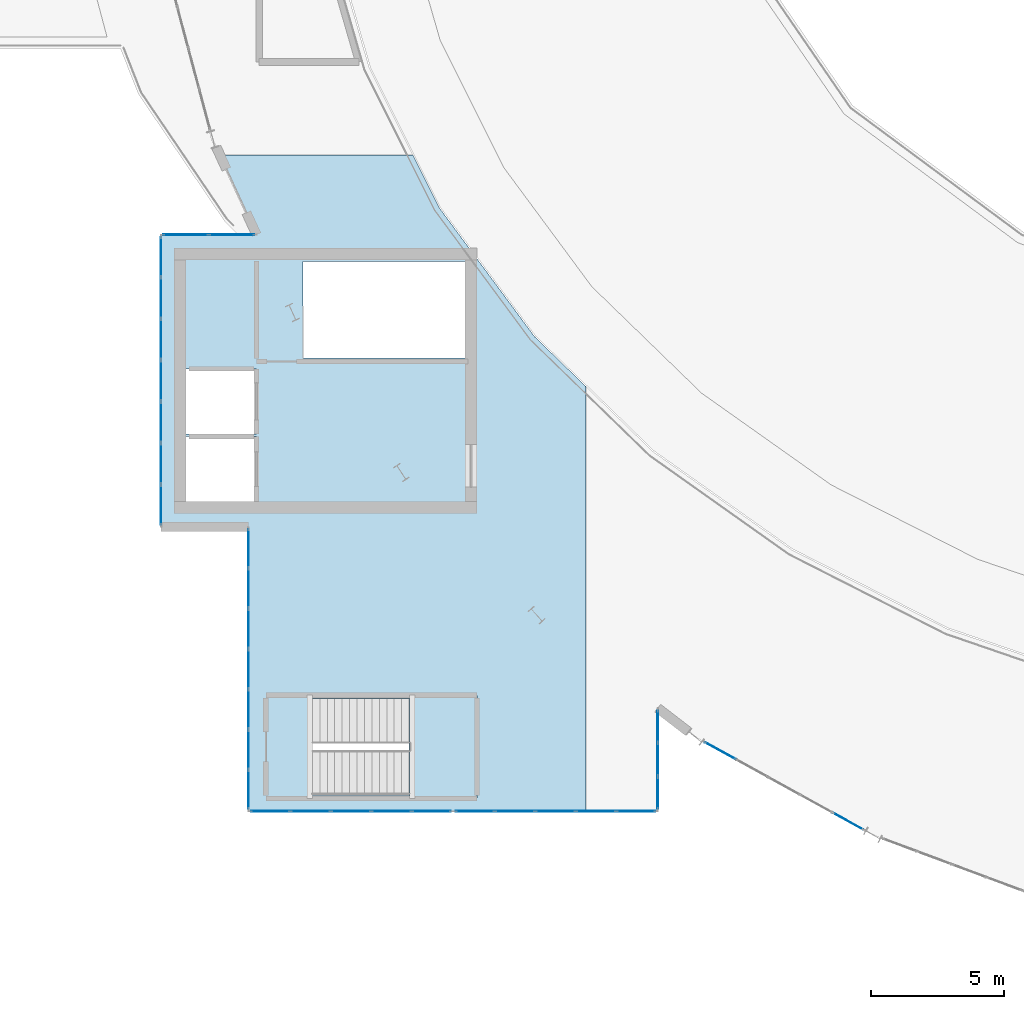
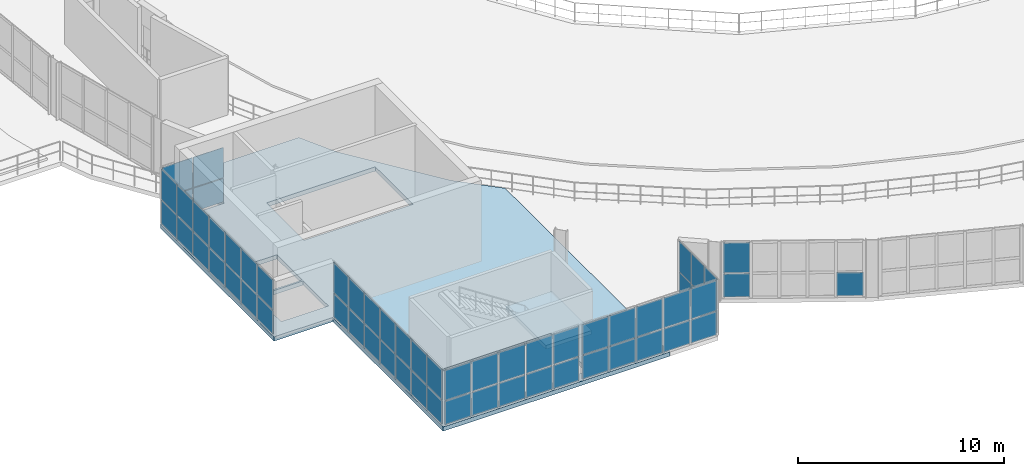
# One storey, part 23 of 40: 61 plates, 2 slabs, 8 elements without a shape of their own.
"""IFC4 building model written with IfcOpenShell, lengths in metres."""

import ifcopenshell
import ifcopenshell.guid

model = None  # the IFC model being written
_history = None  # IfcOwnerHistory: only IFC2X3 demands one
_inside = {}  # id of a spatial element -> (the spatial element, [elements in it])
_under = {}  # id of a project, library or spatial element -> (it, [spatial elements below it])
_declared = {}  # id of a project -> (the project, [libraries it declares])
_typed = {}  # id of a type object -> (the type object, [elements of that type])
_made_of = {}  # id of a material, layer set ... -> (it, [elements and type objects made of it])


def new_model(schema):
    """Start an empty IFC model of exactly this schema.

    Asked for "IFC4X3", IfcOpenShell would pick the latest addendum, in which some entities
    have other attributes; the version numbers below select the first issue.
    IFC2X3 requires an IfcOwnerHistory on every rooted entity: one is made here for all.
    """
    global model, _history
    if schema == "IFC4X3":
        model = ifcopenshell.file(schema_version=(4, 3, 0, 0))
    else:
        model = ifcopenshell.file(schema=schema)
    _inside.clear()
    _under.clear()
    _declared.clear()
    _typed.clear()
    _made_of.clear()
    _history = None
    if model.schema == "IFC2X3":
        org = make("IfcOrganization", Name="unknown")
        user = make(
            "IfcPersonAndOrganization",
            ThePerson=make("IfcPerson", FamilyName="unknown"),
            TheOrganization=org,
        )
        app = make(
            "IfcApplication",
            ApplicationDeveloper=org,
            Version="unknown",
            ApplicationFullName="unknown",
            ApplicationIdentifier="unknown",
        )
        _history = make(
            "IfcOwnerHistory",
            OwningUser=user,
            OwningApplication=app,
            ChangeAction="ADDED",
            CreationDate=0,
        )
    return model


def make(cls, **values):
    """One entity of the class cls with the attributes given. An attribute that is None is left unset."""
    return model.create_entity(
        cls, **{name: value for name, value in values.items() if value is not None}
    )


def rooted(cls, **values):
    """An entity with a GlobalId (a new one), such as an element, a storey or a relation."""
    return make(cls, GlobalId=ifcopenshell.guid.new(), OwnerHistory=_history, **values)


def si_unit(unit_type, name, prefix=None):
    """IfcSIUnit, for example si_unit("LENGTHUNIT", "METRE", prefix="MILLI")."""
    return make("IfcSIUnit", UnitType=unit_type, Prefix=prefix, Name=name)


def assignment(units):
    """IfcUnitAssignment: the units of a project."""
    return None if units is None else make("IfcUnitAssignment", Units=units)


def point(xyz):
    """IfcCartesianPoint."""
    return None if xyz is None else make("IfcCartesianPoint", Coordinates=xyz)


def direction(xyz):
    """IfcDirection."""
    return None if xyz is None else make("IfcDirection", DirectionRatios=xyz)


def frame(location, z_axis=None, x_axis=None):
    """IfcAxis2Placement3D, a coordinate frame: its origin and axes. An axis left out is left unset."""
    return make(
        "IfcAxis2Placement3D",
        Location=point(location),
        Axis=direction(z_axis),
        RefDirection=direction(x_axis),
    )


def frame_2d(location, x_axis=None):
    """IfcAxis2Placement2D, a coordinate frame in the plane: its origin and x axis."""
    return make(
        "IfcAxis2Placement2D", Location=point(location), RefDirection=direction(x_axis)
    )


def origin():
    """The frame at (0, 0, 0) with its axes left unset."""
    return frame((0.0, 0.0, 0.0))


def origin_2d():
    """The frame at (0, 0) in the plane with its x axis left unset."""
    return frame_2d((0.0, 0.0))


def place(relative_to, where):
    """IfcLocalPlacement: puts the frame where relative to a parent placement (None: the world)."""
    return make(
        "IfcLocalPlacement", PlacementRelTo=relative_to, RelativePlacement=where
    )


def context(
    kind, dimensions, precision=None, world=None, true_north=None, identifier=None
):
    """IfcGeometricRepresentationContext, for example the 3D "Model" context."""
    return make(
        "IfcGeometricRepresentationContext",
        ContextIdentifier=identifier,
        ContextType=kind,
        CoordinateSpaceDimension=dimensions,
        Precision=precision,
        WorldCoordinateSystem=world,
        TrueNorth=true_north,
    )


def subcontext(parent, identifier, kind, view, scale=None):
    """IfcGeometricRepresentationSubContext, for example "Body" below "Model"."""
    return make(
        "IfcGeometricRepresentationSubContext",
        ContextIdentifier=identifier,
        ContextType=kind,
        ParentContext=parent,
        TargetScale=scale,
        TargetView=view,
    )


def project(units=None, contexts=None):
    """IfcProject with its units and contexts."""
    return rooted(
        "IfcProject",
        Name="project",
        RepresentationContexts=contexts,
        UnitsInContext=assignment(units),
    )


def spatial(cls, under=None, at=None, **own):
    """A site, building, storey or space (cls), placed at a placement, below another one or the project."""
    s = rooted(cls, ObjectPlacement=at, **own)
    if under is not None:
        _under.setdefault(under.id(), (under, []))[1].append(s)
    return s


def polyline(points):
    """IfcPolyline through the points."""
    return make("IfcPolyline", Points=[point(p) for p in points])


def profile(cls, at=None, kind="AREA", **sizes):
    """A parametric profile (cls). Its sizes go by their IFC names, for example OverallWidth=200.0."""
    return make(cls, ProfileType=kind, Position=at, **sizes)


def rectangle(**sizes):
    """IfcRectangleProfileDef."""
    return profile("IfcRectangleProfileDef", **sizes)


def outline(outer, holes=None, kind="AREA"):
    """IfcArbitraryClosedProfileDef: a profile drawn as a closed curve; with holes, ...WithVoids."""
    if holes is None:
        return make("IfcArbitraryClosedProfileDef", ProfileType=kind, OuterCurve=outer)
    return make(
        "IfcArbitraryProfileDefWithVoids",
        ProfileType=kind,
        OuterCurve=outer,
        InnerCurves=holes,
    )


def extrude(swept, where, along, depth):
    """IfcExtrudedAreaSolid: the profile swept, set in the frame where, extruded along a direction by depth."""
    return make(
        "IfcExtrudedAreaSolid",
        SweptArea=swept,
        Position=where,
        ExtrudedDirection=direction(along),
        Depth=depth,
    )


def shape(context_of_items, identifier, shape_type, items):
    """IfcShapeRepresentation: the items that make up one representation, for example the "Body"."""
    return make(
        "IfcShapeRepresentation",
        ContextOfItems=context_of_items,
        RepresentationIdentifier=identifier,
        RepresentationType=shape_type,
        Items=items,
    )


def material(Name=None, Category=None):
    """IfcMaterial."""
    return make("IfcMaterial", Name=Name, Category=Category)


def layer(
    of_material, thickness, ventilated=None, Name=None, Category=None, Priority=None
):
    """IfcMaterialLayer: one layer of a wall or slab, of a material (None: an air gap)."""
    return make(
        "IfcMaterialLayer",
        Material=of_material,
        LayerThickness=thickness,
        IsVentilated=ventilated,
        Name=Name,
        Category=Category,
        Priority=Priority,
    )


def layer_set(layers, Name=None):
    """IfcMaterialLayerSet."""
    return make("IfcMaterialLayerSet", MaterialLayers=layers, LayerSetName=Name)


def made_of(thing, what):
    """Note that an element or type object is made of a material, layer set ...; save() writes the relation."""
    if what is not None:
        _made_of.setdefault(what.id(), (what, []))[1].append(thing)
    return thing


def type_object(cls, material=None, **own):
    """A type object (cls), such as IfcWallType, which elements share."""
    return made_of(rooted(cls, **own), material)


def element(
    cls,
    number,
    at=None,
    inside=None,
    cuts=None,
    type_object=None,
    material=None,
    context=None,
    identifier="Body",
    shape_type=None,
    held_by="IfcProductDefinitionShape",
    body=None,
    shapes=None,
    **own,
):
    """One element of the class cls, such as IfcWall. Its Tag is "e" and its number.

    at: its placement. inside: the storey or other place that contains it. cuts: it is an
    opening in that element (IfcRelVoidsElement). A single representation is given by context,
    identifier, shape_type and body (its items); several are given by shapes. held_by: the class
    of the entity that holds the representations. save() writes the other relations.
    """
    e = rooted(cls, Tag="e%d" % number, ObjectPlacement=at, **own)
    if body is not None:
        shapes = [shape(context, identifier, shape_type, body)]
    if shapes is not None:
        e.Representation = make(held_by, Representations=shapes)
    if inside is not None:
        _inside.setdefault(inside.id(), (inside, []))[1].append(e)
    if cuts is not None:
        rooted(
            "IfcRelVoidsElement", RelatingBuildingElement=cuts, RelatedOpeningElement=e
        )
    if type_object is not None:
        _typed.setdefault(type_object.id(), (type_object, []))[1].append(e)
    return made_of(e, material)


def aggregate(whole, parts):
    """IfcRelAggregates: a whole, such as a stair, and the parts it consists of."""
    return rooted("IfcRelAggregates", RelatingObject=whole, RelatedObjects=parts)


def save(model, path):
    """Write the relations noted so far, then the file.

    IfcRelAggregates (storeys below a building ...), IfcRelContainedInSpatialStructure (elements
    in a storey), IfcRelDefinesByType, IfcRelAssociatesMaterial and IfcRelDeclares: one each for
    every whole, place, type object, material and project.
    """
    for whole, parts in _under.values():
        aggregate(whole, parts)
    for where, things in _inside.values():
        rooted(
            "IfcRelContainedInSpatialStructure",
            RelatedElements=things,
            RelatingStructure=where,
        )
    for kind, things in _typed.values():
        rooted("IfcRelDefinesByType", RelatedObjects=things, RelatingType=kind)
    for what, things in _made_of.values():
        rooted("IfcRelAssociatesMaterial", RelatedObjects=things, RelatingMaterial=what)
    for by, libraries in _declared.values():
        rooted("IfcRelDeclares", RelatingContext=by, RelatedDefinitions=libraries)
    model.write(path)


model = new_model("IFC4")

# Units and contexts
model_context = context("Model", 3, precision=1e-05, world=origin(), true_north=direction((0.0, 1.0)))
body_context = subcontext(model_context, "Body", "Model", "MODEL_VIEW")
ifc_project = project(units=[si_unit("LENGTHUNIT", "METRE"), si_unit("AREAUNIT", "SQUARE_METRE"), si_unit("VOLUMEUNIT", "CUBIC_METRE"), si_unit("PLANEANGLEUNIT", "RADIAN"), si_unit("MASSUNIT", "GRAM", prefix="KILO")], contexts=[model_context])

# Site, building, storey
site_placement = place(None, origin())
site = spatial("IfcSite", under=ifc_project, at=site_placement, CompositionType="ELEMENT")
building_placement = place(site_placement, origin())
building = spatial("IfcBuilding", under=site, at=building_placement, Name="Glasvene Arena", CompositionType="ELEMENT")
storey_placement = place(building_placement, frame((0.0, 0.0, 24.0)))
storey = spatial("IfcBuildingStorey", under=building, at=storey_placement, Name="L05", CompositionType="ELEMENT", Elevation=24.0)

# Curtain wall, plates
ifc_material_1 = material(Name="Low-emissivity laminated double glazing", Category="glass")
curtain_wall_type_1 = type_object("IfcCurtainWallType", Name="CW-FAC-L05-1062x332", PredefinedType="USERDEFINED", material=ifc_material_1)
curtain_wall_1_placement = place(storey_placement, frame((45.800048828125, 33.840087890625, 0.0)))
curtain_wall_1 = element("IfcCurtainWall", 1, at=curtain_wall_1_placement, inside=storey, type_object=curtain_wall_type_1, Name="Unitised curtain wall CW-F-L05-150-458-392-0", ObjectType="CURTAIN WALL", PredefinedType="USERDEFINED")
ifc_layer_1 = layer(ifc_material_1, 0.028076171875)
ifc_layer_set_1 = layer_set([ifc_layer_1], Name="Low-emissivity laminated double glazing")
plate_type = type_object("IfcPlateType", Name="CW-GLZ-28", PredefinedType="CURTAIN_PANEL", material=ifc_layer_set_1)
plate_1_placement = place(storey_placement, frame((45.800048828125, 34.611083984375, 0.10986328125), z_axis=(0.0, 0.0, 1.0), x_axis=(0.0, 1.0, 0.0)))
plate_1 = element("IfcPlate", 2, at=plate_1_placement, type_object=plate_type, Name="CW-054 panel 1.1", PredefinedType="CURTAIN_PANEL", context=body_context, shape_type="SweptSolid", body=[
    extrude(rectangle(XDim=1.442138671875, YDim=0.028076171875, at=origin_2d()), origin(), (0.0, 0.0, 1.0), 1.385986328125),
])
plate_2_placement = place(storey_placement, frame((45.800048828125, 34.611083984375, 1.5458984375), z_axis=(0.0, 0.0, 1.0), x_axis=(0.0, 1.0, 0.0)))
plate_2 = element("IfcPlate", 3, at=plate_2_placement, type_object=plate_type, Name="CW-054 panel 1.2", PredefinedType="CURTAIN_PANEL", context=body_context, shape_type="SweptSolid", body=[
    extrude(rectangle(XDim=1.442138671875, YDim=0.028076171875, at=origin_2d()), origin(), (0.0, 0.0, 1.0), 1.783935546875),
])
plate_3_placement = place(storey_placement, frame((45.800048828125, 36.11572265625, 0.10986328125), z_axis=(0.0, 0.0, 1.0), x_axis=(0.0, 1.0, 0.0)))
plate_3 = element("IfcPlate", 4, at=plate_3_placement, type_object=plate_type, Name="CW-054 panel 2.1", PredefinedType="CURTAIN_PANEL", context=body_context, shape_type="SweptSolid", body=[
    extrude(rectangle(XDim=1.467041015625, YDim=0.028076171875, at=origin_2d()), origin(), (0.0, 0.0, 1.0), 1.385986328125),
])
plate_4_placement = place(storey_placement, frame((45.800048828125, 36.11572265625, 1.5458984375), z_axis=(0.0, 0.0, 1.0), x_axis=(0.0, 1.0, 0.0)))
plate_4 = element("IfcPlate", 5, at=plate_4_placement, type_object=plate_type, Name="CW-054 panel 2.2", PredefinedType="CURTAIN_PANEL", context=body_context, shape_type="SweptSolid", body=[
    extrude(rectangle(XDim=1.467041015625, YDim=0.028076171875, at=origin_2d()), origin(), (0.0, 0.0, 1.0), 1.783935546875),
])
plate_5_placement = place(storey_placement, frame((45.800048828125, 37.6328125, 0.10986328125), z_axis=(0.0, 0.0, 1.0), x_axis=(0.0, 1.0, 0.0)))
plate_5 = element("IfcPlate", 6, at=plate_5_placement, type_object=plate_type, Name="CW-054 panel 3.1", PredefinedType="CURTAIN_PANEL", context=body_context, shape_type="SweptSolid", body=[
    extrude(rectangle(XDim=1.467041015625, YDim=0.028076171875, at=origin_2d()), origin(), (0.0, 0.0, 1.0), 1.385986328125),
])
plate_6_placement = place(storey_placement, frame((45.800048828125, 37.6328125, 1.5458984375), z_axis=(0.0, 0.0, 1.0), x_axis=(0.0, 1.0, 0.0)))
plate_6 = element("IfcPlate", 7, at=plate_6_placement, type_object=plate_type, Name="CW-054 panel 3.2", PredefinedType="CURTAIN_PANEL", context=body_context, shape_type="SweptSolid", body=[
    extrude(rectangle(XDim=1.467041015625, YDim=0.028076171875, at=origin_2d()), origin(), (0.0, 0.0, 1.0), 1.783935546875),
])
plate_7_placement = place(storey_placement, frame((45.800048828125, 39.14990234375, 0.10986328125), z_axis=(0.0, 0.0, 1.0), x_axis=(0.0, 1.0, 0.0)))
plate_7 = element("IfcPlate", 8, at=plate_7_placement, type_object=plate_type, Name="CW-054 panel 4.1", PredefinedType="CURTAIN_PANEL", context=body_context, shape_type="SweptSolid", body=[
    extrude(rectangle(XDim=1.467041015625, YDim=0.028076171875, at=origin_2d()), origin(), (0.0, 0.0, 1.0), 1.385986328125),
])
plate_8_placement = place(storey_placement, frame((45.800048828125, 39.14990234375, 1.5458984375), z_axis=(0.0, 0.0, 1.0), x_axis=(0.0, 1.0, 0.0)))
plate_8 = element("IfcPlate", 9, at=plate_8_placement, type_object=plate_type, Name="CW-054 panel 4.2", PredefinedType="CURTAIN_PANEL", context=body_context, shape_type="SweptSolid", body=[
    extrude(rectangle(XDim=1.467041015625, YDim=0.028076171875, at=origin_2d()), origin(), (0.0, 0.0, 1.0), 1.783935546875),
])
plate_9_placement = place(storey_placement, frame((45.800048828125, 40.667236328125, 0.10986328125), z_axis=(0.0, 0.0, 1.0), x_axis=(0.0, 1.0, 0.0)))
plate_9 = element("IfcPlate", 10, at=plate_9_placement, type_object=plate_type, Name="CW-054 panel 5.1", PredefinedType="CURTAIN_PANEL", context=body_context, shape_type="SweptSolid", body=[
    extrude(rectangle(XDim=1.467041015625, YDim=0.028076171875, at=origin_2d()), origin(), (0.0, 0.0, 1.0), 1.385986328125),
])
plate_10_placement = place(storey_placement, frame((45.800048828125, 40.667236328125, 1.5458984375), z_axis=(0.0, 0.0, 1.0), x_axis=(0.0, 1.0, 0.0)))
plate_10 = element("IfcPlate", 11, at=plate_10_placement, type_object=plate_type, Name="CW-054 panel 5.2", PredefinedType="CURTAIN_PANEL", context=body_context, shape_type="SweptSolid", body=[
    extrude(rectangle(XDim=1.467041015625, YDim=0.028076171875, at=origin_2d()), origin(), (0.0, 0.0, 1.0), 1.783935546875),
])
plate_11_placement = place(storey_placement, frame((45.800048828125, 42.184326171875, 0.10986328125), z_axis=(0.0, 0.0, 1.0), x_axis=(0.0, 1.0, 0.0)))
plate_11 = element("IfcPlate", 12, at=plate_11_placement, type_object=plate_type, Name="CW-054 panel 6.1", PredefinedType="CURTAIN_PANEL", context=body_context, shape_type="SweptSolid", body=[
    extrude(rectangle(XDim=1.467041015625, YDim=0.028076171875, at=origin_2d()), origin(), (0.0, 0.0, 1.0), 1.385986328125),
])
plate_12_placement = place(storey_placement, frame((45.800048828125, 42.184326171875, 1.5458984375), z_axis=(0.0, 0.0, 1.0), x_axis=(0.0, 1.0, 0.0)))
plate_12 = element("IfcPlate", 13, at=plate_12_placement, type_object=plate_type, Name="CW-054 panel 6.2", PredefinedType="CURTAIN_PANEL", context=body_context, shape_type="SweptSolid", body=[
    extrude(rectangle(XDim=1.467041015625, YDim=0.028076171875, at=origin_2d()), origin(), (0.0, 0.0, 1.0), 1.783935546875),
])
plate_13_placement = place(storey_placement, frame((45.800048828125, 43.68896484375, 0.10986328125), z_axis=(0.0, 0.0, 1.0), x_axis=(0.0, 1.0, 0.0)))
plate_13 = element("IfcPlate", 14, at=plate_13_placement, type_object=plate_type, Name="CW-054 panel 7.1", PredefinedType="CURTAIN_PANEL", context=body_context, shape_type="SweptSolid", body=[
    extrude(rectangle(XDim=1.442138671875, YDim=0.028076171875, at=origin_2d()), origin(), (0.0, 0.0, 1.0), 1.385986328125),
])
plate_14_placement = place(storey_placement, frame((45.800048828125, 43.68896484375, 1.5458984375), z_axis=(0.0, 0.0, 1.0), x_axis=(0.0, 1.0, 0.0)))
plate_14 = element("IfcPlate", 15, at=plate_14_placement, type_object=plate_type, Name="CW-054 panel 7.2", PredefinedType="CURTAIN_PANEL", context=body_context, shape_type="SweptSolid", body=[
    extrude(rectangle(XDim=1.442138671875, YDim=0.028076171875, at=origin_2d()), origin(), (0.0, 0.0, 1.0), 1.783935546875),
])
aggregate(curtain_wall_1, [plate_1, plate_2, plate_3, plate_4, plate_5, plate_6, plate_7, plate_8, plate_9, plate_10, plate_11, plate_12, plate_13, plate_14])

curtain_wall_type_2 = type_object("IfcCurtainWallType", Name="CW-FAC-L05-1092x332", PredefinedType="USERDEFINED", material=ifc_material_1)
curtain_wall_2_placement = place(storey_placement, frame((42.5, 44.5400390625, 0.0)))
curtain_wall_2 = element("IfcCurtainWall", 16, at=curtain_wall_2_placement, inside=storey, type_object=curtain_wall_type_2, Name="Unitised curtain wall CW-F-L05-150-425-500-2", ObjectType="CURTAIN WALL", PredefinedType="USERDEFINED")
plate_15_placement = place(storey_placement, frame((42.5, 45.33251953125, 0.10986328125), z_axis=(0.0, 0.0, 1.0), x_axis=(0.0, 1.0, 0.0)))
plate_15 = element("IfcPlate", 17, at=plate_15_placement, type_object=plate_type, Name="CW-055 panel 1.1", PredefinedType="CURTAIN_PANEL", context=body_context, shape_type="SweptSolid", body=[
    extrude(rectangle(XDim=1.485107421875, YDim=0.028076171875, at=origin_2d()), origin(), (0.0, 0.0, 1.0), 1.385986328125),
])
plate_16_placement = place(storey_placement, frame((42.5, 45.33251953125, 1.5458984375), z_axis=(0.0, 0.0, 1.0), x_axis=(0.0, 1.0, 0.0)))
plate_16 = element("IfcPlate", 18, at=plate_16_placement, type_object=plate_type, Name="CW-055 panel 1.2", PredefinedType="CURTAIN_PANEL", context=body_context, shape_type="SweptSolid", body=[
    extrude(rectangle(XDim=1.485107421875, YDim=0.028076171875, at=origin_2d()), origin(), (0.0, 0.0, 1.0), 1.783935546875),
])
plate_17_placement = place(storey_placement, frame((42.5, 46.8798828125, 0.10986328125), z_axis=(0.0, 0.0, 1.0), x_axis=(0.0, 1.0, 0.0)))
plate_17 = element("IfcPlate", 19, at=plate_17_placement, type_object=plate_type, Name="CW-055 panel 2.1", PredefinedType="CURTAIN_PANEL", context=body_context, shape_type="SweptSolid", body=[
    extrude(rectangle(XDim=1.510009765625, YDim=0.028076171875, at=origin_2d()), origin(), (0.0, 0.0, 1.0), 1.385986328125),
])
plate_18_placement = place(storey_placement, frame((42.5, 46.8798828125, 1.5458984375), z_axis=(0.0, 0.0, 1.0), x_axis=(0.0, 1.0, 0.0)))
plate_18 = element("IfcPlate", 20, at=plate_18_placement, type_object=plate_type, Name="CW-055 panel 2.2", PredefinedType="CURTAIN_PANEL", context=body_context, shape_type="SweptSolid", body=[
    extrude(rectangle(XDim=1.510009765625, YDim=0.028076171875, at=origin_2d()), origin(), (0.0, 0.0, 1.0), 1.783935546875),
])
plate_19_placement = place(storey_placement, frame((42.5, 48.43994140625, 0.10986328125), z_axis=(0.0, 0.0, 1.0), x_axis=(0.0, 1.0, 0.0)))
plate_19 = element("IfcPlate", 21, at=plate_19_placement, type_object=plate_type, Name="CW-055 panel 3.1", PredefinedType="CURTAIN_PANEL", context=body_context, shape_type="SweptSolid", body=[
    extrude(rectangle(XDim=1.510009765625, YDim=0.028076171875, at=origin_2d()), origin(), (0.0, 0.0, 1.0), 1.385986328125),
])
plate_20_placement = place(storey_placement, frame((42.5, 48.43994140625, 1.5458984375), z_axis=(0.0, 0.0, 1.0), x_axis=(0.0, 1.0, 0.0)))
plate_20 = element("IfcPlate", 22, at=plate_20_placement, type_object=plate_type, Name="CW-055 panel 3.2", PredefinedType="CURTAIN_PANEL", context=body_context, shape_type="SweptSolid", body=[
    extrude(rectangle(XDim=1.510009765625, YDim=0.028076171875, at=origin_2d()), origin(), (0.0, 0.0, 1.0), 1.783935546875),
])
plate_21_placement = place(storey_placement, frame((42.5, 50.0, 0.10986328125), z_axis=(0.0, 0.0, 1.0), x_axis=(0.0, 1.0, 0.0)))
plate_21 = element("IfcPlate", 23, at=plate_21_placement, type_object=plate_type, Name="CW-055 panel 4.1", PredefinedType="CURTAIN_PANEL", context=body_context, shape_type="SweptSolid", body=[
    extrude(rectangle(XDim=1.510009765625, YDim=0.028076171875, at=origin_2d()), origin(), (0.0, 0.0, 1.0), 1.385986328125),
])
plate_22_placement = place(storey_placement, frame((42.5, 50.0, 1.5458984375), z_axis=(0.0, 0.0, 1.0), x_axis=(0.0, 1.0, 0.0)))
plate_22 = element("IfcPlate", 24, at=plate_22_placement, type_object=plate_type, Name="CW-055 panel 4.2", PredefinedType="CURTAIN_PANEL", context=body_context, shape_type="SweptSolid", body=[
    extrude(rectangle(XDim=1.510009765625, YDim=0.028076171875, at=origin_2d()), origin(), (0.0, 0.0, 1.0), 1.783935546875),
])
plate_23_placement = place(storey_placement, frame((42.5, 51.56005859375, 0.10986328125), z_axis=(0.0, 0.0, 1.0), x_axis=(0.0, 1.0, 0.0)))
plate_23 = element("IfcPlate", 25, at=plate_23_placement, type_object=plate_type, Name="CW-055 panel 5.1", PredefinedType="CURTAIN_PANEL", context=body_context, shape_type="SweptSolid", body=[
    extrude(rectangle(XDim=1.510009765625, YDim=0.028076171875, at=origin_2d()), origin(), (0.0, 0.0, 1.0), 1.385986328125),
])
plate_24_placement = place(storey_placement, frame((42.5, 51.56005859375, 1.5458984375), z_axis=(0.0, 0.0, 1.0), x_axis=(0.0, 1.0, 0.0)))
plate_24 = element("IfcPlate", 26, at=plate_24_placement, type_object=plate_type, Name="CW-055 panel 5.2", PredefinedType="CURTAIN_PANEL", context=body_context, shape_type="SweptSolid", body=[
    extrude(rectangle(XDim=1.510009765625, YDim=0.028076171875, at=origin_2d()), origin(), (0.0, 0.0, 1.0), 1.783935546875),
])
plate_25_placement = place(storey_placement, frame((42.5, 53.1201171875, 0.10986328125), z_axis=(0.0, 0.0, 1.0), x_axis=(0.0, 1.0, 0.0)))
plate_25 = element("IfcPlate", 27, at=plate_25_placement, type_object=plate_type, Name="CW-055 panel 6.1", PredefinedType="CURTAIN_PANEL", context=body_context, shape_type="SweptSolid", body=[
    extrude(rectangle(XDim=1.510009765625, YDim=0.028076171875, at=origin_2d()), origin(), (0.0, 0.0, 1.0), 1.385986328125),
])
plate_26_placement = place(storey_placement, frame((42.5, 53.1201171875, 1.5458984375), z_axis=(0.0, 0.0, 1.0), x_axis=(0.0, 1.0, 0.0)))
plate_26 = element("IfcPlate", 28, at=plate_26_placement, type_object=plate_type, Name="CW-055 panel 6.2", PredefinedType="CURTAIN_PANEL", context=body_context, shape_type="SweptSolid", body=[
    extrude(rectangle(XDim=1.510009765625, YDim=0.028076171875, at=origin_2d()), origin(), (0.0, 0.0, 1.0), 1.783935546875),
])
plate_27_placement = place(storey_placement, frame((42.5, 54.66748046875, 0.10986328125), z_axis=(0.0, 0.0, 1.0), x_axis=(0.0, 1.0, 0.0)))
plate_27 = element("IfcPlate", 29, at=plate_27_placement, type_object=plate_type, Name="CW-055 panel 7.1", PredefinedType="CURTAIN_PANEL", context=body_context, shape_type="SweptSolid", body=[
    extrude(rectangle(XDim=1.485107421875, YDim=0.028076171875, at=origin_2d()), origin(), (0.0, 0.0, 1.0), 1.385986328125),
])
plate_28_placement = place(storey_placement, frame((42.5, 54.66748046875, 1.5458984375), z_axis=(0.0, 0.0, 1.0), x_axis=(0.0, 1.0, 0.0)))
plate_28 = element("IfcPlate", 30, at=plate_28_placement, type_object=plate_type, Name="CW-055 panel 7.2", PredefinedType="CURTAIN_PANEL", context=body_context, shape_type="SweptSolid", body=[
    extrude(rectangle(XDim=1.485107421875, YDim=0.028076171875, at=origin_2d()), origin(), (0.0, 0.0, 1.0), 1.783935546875),
])
aggregate(curtain_wall_2, [plate_15, plate_16, plate_17, plate_18, plate_19, plate_20, plate_21, plate_22, plate_23, plate_24, plate_25, plate_26, plate_27, plate_28])

curtain_wall_type_3 = type_object("IfcCurtainWallType", Name="CW-FAC-L05-352x332", PredefinedType="USERDEFINED", material=ifc_material_1)
curtain_wall_3_placement = place(storey_placement, frame((42.5400390625, 55.5, 0.0)))
curtain_wall_3 = element("IfcCurtainWall", 31, at=curtain_wall_3_placement, inside=storey, type_object=curtain_wall_type_3, Name="Unitised curtain wall CW-F-L05-150-443-555-3", ObjectType="CURTAIN WALL", PredefinedType="USERDEFINED")
plate_29_placement = place(storey_placement, frame((43.432861328125, 55.5, 0.10986328125), z_axis=(0.0, 0.0, 1.0), x_axis=(1.0, 0.0, 0.0)))
plate_29 = element("IfcPlate", 32, at=plate_29_placement, type_object=plate_type, Name="CW-056 panel 1.1", PredefinedType="CURTAIN_PANEL", context=body_context, shape_type="SweptSolid", body=[
    extrude(rectangle(XDim=1.685791015625, YDim=0.028076171875, at=origin_2d()), origin(), (0.0, 0.0, 1.0), 1.385986328125),
])
plate_30_placement = place(storey_placement, frame((43.432861328125, 55.5, 1.5458984375), z_axis=(0.0, 0.0, 1.0), x_axis=(1.0, 0.0, 0.0)))
plate_30 = element("IfcPlate", 33, at=plate_30_placement, type_object=plate_type, Name="CW-056 panel 1.2", PredefinedType="CURTAIN_PANEL", context=body_context, shape_type="SweptSolid", body=[
    extrude(rectangle(XDim=1.685791015625, YDim=0.028076171875, at=origin_2d()), origin(), (0.0, 0.0, 1.0), 1.783935546875),
])
plate_31_placement = place(storey_placement, frame((45.16845703125, 55.5, 0.10986328125), z_axis=(0.0, 0.0, 1.0), x_axis=(1.0, 0.0, 0.0)))
plate_31 = element("IfcPlate", 34, at=plate_31_placement, type_object=plate_type, Name="CW-056 panel 2.1", PredefinedType="CURTAIN_PANEL", context=body_context, shape_type="SweptSolid", body=[
    extrude(rectangle(XDim=1.685791015625, YDim=0.028076171875, at=origin_2d()), origin(), (0.0, 0.0, 1.0), 1.385986328125),
])
plate_32_placement = place(storey_placement, frame((45.16845703125, 55.5, 1.5458984375), z_axis=(0.0, 0.0, 1.0), x_axis=(1.0, 0.0, 0.0)))
plate_32 = element("IfcPlate", 35, at=plate_32_placement, type_object=plate_type, Name="CW-056 panel 2.2", PredefinedType="CURTAIN_PANEL", context=body_context, shape_type="SweptSolid", body=[
    extrude(rectangle(XDim=1.685791015625, YDim=0.028076171875, at=origin_2d()), origin(), (0.0, 0.0, 1.0), 1.783935546875),
])
aggregate(curtain_wall_3, [plate_29, plate_30, plate_31, plate_32])

curtain_wall_type_4 = type_object("IfcCurtainWallType", Name="CW-FAC-L05-690x332", PredefinedType="USERDEFINED", material=ifc_material_1)
curtain_wall_4_placement = place(storey_placement, frame((68.97900390625, 33.081787109375, 0.0)))
curtain_wall_4 = element("IfcCurtainWall", 36, at=curtain_wall_4_placement, inside=storey, type_object=curtain_wall_type_4, Name="Unitised curtain wall CW-F-L05-150-660-347-48", ObjectType="CURTAIN WALL", PredefinedType="USERDEFINED")
plate_33_placement = place(storey_placement, frame((68.364013671875, 33.421142578125, 0.10986328125), z_axis=(0.0, 0.0, 1.0), x_axis=(-0.875654185248, 0.482938658483, 0.0)))
plate_33 = element("IfcPlate", 37, at=plate_33_placement, type_object=plate_type, Name="CW-062 panel 1.1", PredefinedType="CURTAIN_PANEL", context=body_context, shape_type="SweptSolid", body=[
    extrude(rectangle(XDim=1.30517578125, YDim=0.028076171875, at=origin_2d()), origin(), (0.0, 0.0, 1.0), 1.385986328125),
])
plate_34_placement = place(storey_placement, frame((63.5517578125, 36.0751953125, 0.10986328125), z_axis=(0.0, 0.0, 1.0), x_axis=(-0.875654185248, 0.482938658483, 0.0)))
plate_34 = element("IfcPlate", 38, at=plate_34_placement, type_object=plate_type, Name="CW-062 panel 5.1", PredefinedType="CURTAIN_PANEL", context=body_context, shape_type="SweptSolid", body=[
    extrude(rectangle(XDim=1.30517578125, YDim=0.028076171875, at=origin_2d()), origin(), (0.0, 0.0, 1.0), 1.385986328125),
])
plate_35_placement = place(storey_placement, frame((63.5517578125, 36.0751953125, 1.5458984375), z_axis=(0.0, 0.0, 1.0), x_axis=(-0.875654185248, 0.482938658483, 0.0)))
plate_35 = element("IfcPlate", 39, at=plate_35_placement, type_object=plate_type, Name="CW-062 panel 5.2", PredefinedType="CURTAIN_PANEL", context=body_context, shape_type="SweptSolid", body=[
    extrude(rectangle(XDim=1.30517578125, YDim=0.028076171875, at=origin_2d()), origin(), (0.0, 0.0, 1.0), 1.783935546875),
])
aggregate(curtain_wall_4, [plate_33, plate_34, plate_35])

curtain_wall_type_5 = type_object("IfcCurtainWallType", Name="CW-FAC-L05-380x332", PredefinedType="USERDEFINED", material=ifc_material_1)
curtain_wall_5_placement = place(storey_placement, frame((61.199951171875, 37.638671875, 0.0)))
curtain_wall_5 = element("IfcCurtainWall", 40, at=curtain_wall_5_placement, inside=storey, type_object=curtain_wall_type_5, Name="Unitised curtain wall CW-F-L05-150-612-357-50", ObjectType="CURTAIN WALL", PredefinedType="USERDEFINED")
plate_36_placement = place(storey_placement, frame((61.199951171875, 36.992919921875, 0.10986328125), z_axis=(0.0, 0.0, 1.0), x_axis=(0.0, -1.0, 0.0)))
plate_36 = element("IfcPlate", 41, at=plate_36_placement, type_object=plate_type, Name="CW-069 panel 1.1", PredefinedType="CURTAIN_PANEL", context=body_context, shape_type="SweptSolid", body=[
    extrude(rectangle(XDim=1.191162109375, YDim=0.028076171875, at=origin_2d()), origin(), (0.0, 0.0, 1.0), 1.385986328125),
])
plate_37_placement = place(storey_placement, frame((61.199951171875, 36.992919921875, 1.5458984375), z_axis=(0.0, 0.0, 1.0), x_axis=(0.0, -1.0, 0.0)))
plate_37 = element("IfcPlate", 42, at=plate_37_placement, type_object=plate_type, Name="CW-069 panel 1.2", PredefinedType="CURTAIN_PANEL", context=body_context, shape_type="SweptSolid", body=[
    extrude(rectangle(XDim=1.191162109375, YDim=0.028076171875, at=origin_2d()), origin(), (0.0, 0.0, 1.0), 1.783935546875),
])
plate_38_placement = place(storey_placement, frame((61.199951171875, 35.7392578125, 0.10986328125), z_axis=(0.0, 0.0, 1.0), x_axis=(0.0, -1.0, 0.0)))
plate_38 = element("IfcPlate", 43, at=plate_38_placement, type_object=plate_type, Name="CW-069 panel 2.1", PredefinedType="CURTAIN_PANEL", context=body_context, shape_type="SweptSolid", body=[
    extrude(rectangle(XDim=1.21630859375, YDim=0.028076171875, at=origin_2d()), origin(), (0.0, 0.0, 1.0), 1.385986328125),
])
plate_39_placement = place(storey_placement, frame((61.199951171875, 35.7392578125, 1.5458984375), z_axis=(0.0, 0.0, 1.0), x_axis=(0.0, -1.0, 0.0)))
plate_39 = element("IfcPlate", 44, at=plate_39_placement, type_object=plate_type, Name="CW-069 panel 2.2", PredefinedType="CURTAIN_PANEL", context=body_context, shape_type="SweptSolid", body=[
    extrude(rectangle(XDim=1.21630859375, YDim=0.028076171875, at=origin_2d()), origin(), (0.0, 0.0, 1.0), 1.783935546875),
])
plate_40_placement = place(storey_placement, frame((61.199951171875, 34.485595703125, 0.10986328125), z_axis=(0.0, 0.0, 1.0), x_axis=(0.0, -1.0, 0.0)))
plate_40 = element("IfcPlate", 45, at=plate_40_placement, type_object=plate_type, Name="CW-069 panel 3.1", PredefinedType="CURTAIN_PANEL", context=body_context, shape_type="SweptSolid", body=[
    extrude(rectangle(XDim=1.191162109375, YDim=0.028076171875, at=origin_2d()), origin(), (0.0, 0.0, 1.0), 1.385986328125),
])
plate_41_placement = place(storey_placement, frame((61.199951171875, 34.485595703125, 1.5458984375), z_axis=(0.0, 0.0, 1.0), x_axis=(0.0, -1.0, 0.0)))
plate_41 = element("IfcPlate", 46, at=plate_41_placement, type_object=plate_type, Name="CW-069 panel 3.2", PredefinedType="CURTAIN_PANEL", context=body_context, shape_type="SweptSolid", body=[
    extrude(rectangle(XDim=1.191162109375, YDim=0.028076171875, at=origin_2d()), origin(), (0.0, 0.0, 1.0), 1.783935546875),
])
aggregate(curtain_wall_5, [plate_36, plate_37, plate_38, plate_39, plate_40, plate_41])

curtain_wall_type_6 = type_object("IfcCurtainWallType", Name="CW-FAC-L05-762x332", PredefinedType="USERDEFINED", material=ifc_material_1)
curtain_wall_6_placement = place(storey_placement, frame((61.159912109375, 33.800048828125, 0.0)))
curtain_wall_6 = element("IfcCurtainWall", 47, at=curtain_wall_6_placement, inside=storey, type_object=curtain_wall_type_6, Name="Unitised curtain wall CW-F-L05-150-574-338-51", ObjectType="CURTAIN WALL", PredefinedType="USERDEFINED")
plate_42_placement = place(storey_placement, frame((60.385498046875, 33.800048828125, 0.10986328125), z_axis=(0.0, 0.0, 1.0), x_axis=(-1.0, 0.0, 0.0)))
plate_42 = element("IfcPlate", 48, at=plate_42_placement, type_object=plate_type, Name="CW-070 panel 1.1", PredefinedType="CURTAIN_PANEL", context=body_context, shape_type="SweptSolid", body=[
    extrude(rectangle(XDim=1.448974609375, YDim=0.028076171875, at=origin_2d()), origin(), (0.0, 0.0, 1.0), 1.385986328125),
])
plate_43_placement = place(storey_placement, frame((60.385498046875, 33.800048828125, 1.5458984375), z_axis=(0.0, 0.0, 1.0), x_axis=(-1.0, 0.0, 0.0)))
plate_43 = element("IfcPlate", 49, at=plate_43_placement, type_object=plate_type, Name="CW-070 panel 1.2", PredefinedType="CURTAIN_PANEL", context=body_context, shape_type="SweptSolid", body=[
    extrude(rectangle(XDim=1.448974609375, YDim=0.028076171875, at=origin_2d()), origin(), (0.0, 0.0, 1.0), 1.783935546875),
])
plate_44_placement = place(storey_placement, frame((58.8740234375, 33.800048828125, 0.10986328125), z_axis=(0.0, 0.0, 1.0), x_axis=(-1.0, 0.0, 0.0)))
plate_44 = element("IfcPlate", 50, at=plate_44_placement, type_object=plate_type, Name="CW-070 panel 2.1", PredefinedType="CURTAIN_PANEL", context=body_context, shape_type="SweptSolid", body=[
    extrude(rectangle(XDim=1.47412109375, YDim=0.028076171875, at=origin_2d()), origin(), (0.0, 0.0, 1.0), 1.385986328125),
])
plate_45_placement = place(storey_placement, frame((58.8740234375, 33.800048828125, 1.5458984375), z_axis=(0.0, 0.0, 1.0), x_axis=(-1.0, 0.0, 0.0)))
plate_45 = element("IfcPlate", 51, at=plate_45_placement, type_object=plate_type, Name="CW-070 panel 2.2", PredefinedType="CURTAIN_PANEL", context=body_context, shape_type="SweptSolid", body=[
    extrude(rectangle(XDim=1.47412109375, YDim=0.028076171875, at=origin_2d()), origin(), (0.0, 0.0, 1.0), 1.783935546875),
])
plate_46_placement = place(storey_placement, frame((57.35009765625, 33.800048828125, 0.10986328125), z_axis=(0.0, 0.0, 1.0), x_axis=(-1.0, 0.0, 0.0)))
plate_46 = element("IfcPlate", 52, at=plate_46_placement, type_object=plate_type, Name="CW-070 panel 3.1", PredefinedType="CURTAIN_PANEL", context=body_context, shape_type="SweptSolid", body=[
    extrude(rectangle(XDim=1.47412109375, YDim=0.028076171875, at=origin_2d()), origin(), (0.0, 0.0, 1.0), 1.385986328125),
])
plate_47_placement = place(storey_placement, frame((57.35009765625, 33.800048828125, 1.5458984375), z_axis=(0.0, 0.0, 1.0), x_axis=(-1.0, 0.0, 0.0)))
plate_47 = element("IfcPlate", 53, at=plate_47_placement, type_object=plate_type, Name="CW-070 panel 3.2", PredefinedType="CURTAIN_PANEL", context=body_context, shape_type="SweptSolid", body=[
    extrude(rectangle(XDim=1.47412109375, YDim=0.028076171875, at=origin_2d()), origin(), (0.0, 0.0, 1.0), 1.783935546875),
])
plate_48_placement = place(storey_placement, frame((55.825927734375, 33.800048828125, 0.10986328125), z_axis=(0.0, 0.0, 1.0), x_axis=(-1.0, 0.0, 0.0)))
plate_48 = element("IfcPlate", 54, at=plate_48_placement, type_object=plate_type, Name="CW-070 panel 4.1", PredefinedType="CURTAIN_PANEL", context=body_context, shape_type="SweptSolid", body=[
    extrude(rectangle(XDim=1.47412109375, YDim=0.028076171875, at=origin_2d()), origin(), (0.0, 0.0, 1.0), 1.385986328125),
])
plate_49_placement = place(storey_placement, frame((55.825927734375, 33.800048828125, 1.5458984375), z_axis=(0.0, 0.0, 1.0), x_axis=(-1.0, 0.0, 0.0)))
plate_49 = element("IfcPlate", 55, at=plate_49_placement, type_object=plate_type, Name="CW-070 panel 4.2", PredefinedType="CURTAIN_PANEL", context=body_context, shape_type="SweptSolid", body=[
    extrude(rectangle(XDim=1.47412109375, YDim=0.028076171875, at=origin_2d()), origin(), (0.0, 0.0, 1.0), 1.783935546875),
])
plate_50_placement = place(storey_placement, frame((54.314453125, 33.800048828125, 0.10986328125), z_axis=(0.0, 0.0, 1.0), x_axis=(-1.0, 0.0, 0.0)))
plate_50 = element("IfcPlate", 56, at=plate_50_placement, type_object=plate_type, Name="CW-070 panel 5.1", PredefinedType="CURTAIN_PANEL", context=body_context, shape_type="SweptSolid", body=[
    extrude(rectangle(XDim=1.448974609375, YDim=0.028076171875, at=origin_2d()), origin(), (0.0, 0.0, 1.0), 1.385986328125),
])
plate_51_placement = place(storey_placement, frame((54.314453125, 33.800048828125, 1.5458984375), z_axis=(0.0, 0.0, 1.0), x_axis=(-1.0, 0.0, 0.0)))
plate_51 = element("IfcPlate", 57, at=plate_51_placement, type_object=plate_type, Name="CW-070 panel 5.2", PredefinedType="CURTAIN_PANEL", context=body_context, shape_type="SweptSolid", body=[
    extrude(rectangle(XDim=1.448974609375, YDim=0.028076171875, at=origin_2d()), origin(), (0.0, 0.0, 1.0), 1.783935546875),
])
aggregate(curtain_wall_6, [plate_42, plate_43, plate_44, plate_45, plate_46, plate_47, plate_48, plate_49, plate_50, plate_51])

curtain_wall_7_placement = place(storey_placement, frame((53.4599609375, 33.800048828125, 0.0)))
curtain_wall_7 = element("IfcCurtainWall", 58, at=curtain_wall_7_placement, inside=storey, type_object=curtain_wall_type_6, Name="Unitised curtain wall CW-F-L05-150-496-338-52", ObjectType="CURTAIN WALL", PredefinedType="USERDEFINED")
plate_52_placement = place(storey_placement, frame((52.685546875, 33.800048828125, 0.10986328125), z_axis=(0.0, 0.0, 1.0), x_axis=(-1.0, 0.0, 0.0)))
plate_52 = element("IfcPlate", 59, at=plate_52_placement, type_object=plate_type, Name="CW-070 panel 1.1", PredefinedType="CURTAIN_PANEL", context=body_context, shape_type="SweptSolid", body=[
    extrude(rectangle(XDim=1.448974609375, YDim=0.028076171875, at=origin_2d()), origin(), (0.0, 0.0, 1.0), 1.385986328125),
])
plate_53_placement = place(storey_placement, frame((52.685546875, 33.800048828125, 1.5458984375), z_axis=(0.0, 0.0, 1.0), x_axis=(-1.0, 0.0, 0.0)))
plate_53 = element("IfcPlate", 60, at=plate_53_placement, type_object=plate_type, Name="CW-070 panel 1.2", PredefinedType="CURTAIN_PANEL", context=body_context, shape_type="SweptSolid", body=[
    extrude(rectangle(XDim=1.448974609375, YDim=0.028076171875, at=origin_2d()), origin(), (0.0, 0.0, 1.0), 1.783935546875),
])
plate_54_placement = place(storey_placement, frame((51.174072265625, 33.800048828125, 0.10986328125), z_axis=(0.0, 0.0, 1.0), x_axis=(-1.0, 0.0, 0.0)))
plate_54 = element("IfcPlate", 61, at=plate_54_placement, type_object=plate_type, Name="CW-070 panel 2.1", PredefinedType="CURTAIN_PANEL", context=body_context, shape_type="SweptSolid", body=[
    extrude(rectangle(XDim=1.47412109375, YDim=0.028076171875, at=origin_2d()), origin(), (0.0, 0.0, 1.0), 1.385986328125),
])
plate_55_placement = place(storey_placement, frame((51.174072265625, 33.800048828125, 1.5458984375), z_axis=(0.0, 0.0, 1.0), x_axis=(-1.0, 0.0, 0.0)))
plate_55 = element("IfcPlate", 62, at=plate_55_placement, type_object=plate_type, Name="CW-070 panel 2.2", PredefinedType="CURTAIN_PANEL", context=body_context, shape_type="SweptSolid", body=[
    extrude(rectangle(XDim=1.47412109375, YDim=0.028076171875, at=origin_2d()), origin(), (0.0, 0.0, 1.0), 1.783935546875),
])
plate_56_placement = place(storey_placement, frame((49.64990234375, 33.800048828125, 0.10986328125), z_axis=(0.0, 0.0, 1.0), x_axis=(-1.0, 0.0, 0.0)))
plate_56 = element("IfcPlate", 63, at=plate_56_placement, type_object=plate_type, Name="CW-070 panel 3.1", PredefinedType="CURTAIN_PANEL", context=body_context, shape_type="SweptSolid", body=[
    extrude(rectangle(XDim=1.47412109375, YDim=0.028076171875, at=origin_2d()), origin(), (0.0, 0.0, 1.0), 1.385986328125),
])
plate_57_placement = place(storey_placement, frame((49.64990234375, 33.800048828125, 1.5458984375), z_axis=(0.0, 0.0, 1.0), x_axis=(-1.0, 0.0, 0.0)))
plate_57 = element("IfcPlate", 64, at=plate_57_placement, type_object=plate_type, Name="CW-070 panel 3.2", PredefinedType="CURTAIN_PANEL", context=body_context, shape_type="SweptSolid", body=[
    extrude(rectangle(XDim=1.47412109375, YDim=0.028076171875, at=origin_2d()), origin(), (0.0, 0.0, 1.0), 1.783935546875),
])
plate_58_placement = place(storey_placement, frame((48.1259765625, 33.800048828125, 0.10986328125), z_axis=(0.0, 0.0, 1.0), x_axis=(-1.0, 0.0, 0.0)))
plate_58 = element("IfcPlate", 65, at=plate_58_placement, type_object=plate_type, Name="CW-070 panel 4.1", PredefinedType="CURTAIN_PANEL", context=body_context, shape_type="SweptSolid", body=[
    extrude(rectangle(XDim=1.47412109375, YDim=0.028076171875, at=origin_2d()), origin(), (0.0, 0.0, 1.0), 1.385986328125),
])
plate_59_placement = place(storey_placement, frame((48.1259765625, 33.800048828125, 1.5458984375), z_axis=(0.0, 0.0, 1.0), x_axis=(-1.0, 0.0, 0.0)))
plate_59 = element("IfcPlate", 66, at=plate_59_placement, type_object=plate_type, Name="CW-070 panel 4.2", PredefinedType="CURTAIN_PANEL", context=body_context, shape_type="SweptSolid", body=[
    extrude(rectangle(XDim=1.47412109375, YDim=0.028076171875, at=origin_2d()), origin(), (0.0, 0.0, 1.0), 1.783935546875),
])
plate_60_placement = place(storey_placement, frame((46.614501953125, 33.800048828125, 0.10986328125), z_axis=(0.0, 0.0, 1.0), x_axis=(-1.0, 0.0, 0.0)))
plate_60 = element("IfcPlate", 67, at=plate_60_placement, type_object=plate_type, Name="CW-070 panel 5.1", PredefinedType="CURTAIN_PANEL", context=body_context, shape_type="SweptSolid", body=[
    extrude(rectangle(XDim=1.448974609375, YDim=0.028076171875, at=origin_2d()), origin(), (0.0, 0.0, 1.0), 1.385986328125),
])
plate_61_placement = place(storey_placement, frame((46.614501953125, 33.800048828125, 1.5458984375), z_axis=(0.0, 0.0, 1.0), x_axis=(-1.0, 0.0, 0.0)))
plate_61 = element("IfcPlate", 68, at=plate_61_placement, type_object=plate_type, Name="CW-070 panel 5.2", PredefinedType="CURTAIN_PANEL", context=body_context, shape_type="SweptSolid", body=[
    extrude(rectangle(XDim=1.448974609375, YDim=0.028076171875, at=origin_2d()), origin(), (0.0, 0.0, 1.0), 1.783935546875),
])
aggregate(curtain_wall_7, [plate_52, plate_53, plate_54, plate_55, plate_56, plate_57, plate_58, plate_59, plate_60, plate_61])

# Stair, slab
ifc_material_2 = material(Name="Concrete C40/50", Category="concrete")
stair_type = type_object("IfcStairType", Name="ST-HT-480-170", PredefinedType="HALF_TURN_STAIR", material=ifc_material_2)
stair_placement = place(storey_placement, origin())
stair = element("IfcStair", 69, at=stair_placement, inside=storey, type_object=stair_type, Name="Protected escape stair ST-05 (L05 to RF)", PredefinedType="HALF_TURN_STAIR")
ifc_layer_2 = layer(ifc_material_2, 0.219970703125)
ifc_layer_set_2 = layer_set([ifc_layer_2], Name="Concrete C40/50")
slab_type_1 = type_object("IfcSlabType", Name="SL-LAND-220", PredefinedType="LANDING", material=ifc_layer_set_2)
slab_1_placement = place(storey_placement, frame((53.1201171875, 36.22509765625, 2.179931640625)))
slab_1 = element("IfcSlab", 70, at=slab_1_placement, type_object=slab_type_1, Name="Protected escape stair ST-05 (L05 to RF) landing 1", PredefinedType="LANDING", context=body_context, shape_type="SweptSolid", body=[
    extrude(outline(polyline([(-1.280029296875, -1.925048828125), (1.27978515625, -1.925048828125), (1.27978515625, 1.9248046875), (-1.280029296875, 1.9248046875), (-1.280029296875, -1.925048828125)])), origin(), (0.0, 0.0, 1.0), 0.219970703125),
])
aggregate(stair, [slab_1])

# Slab
ifc_layer_3 = layer(ifc_material_2, 0.25)
ifc_layer_set_3 = layer_set([ifc_layer_3], Name="Concrete C40/50")
slab_type_2 = type_object("IfcSlabType", Name="SL-UPPER-250", PredefinedType="FLOOR", material=ifc_layer_set_3)
slab_2_placement = place(storey_placement, frame((49.63134765625, 49.324462890625, -0.25)))
element("IfcSlab", 71, at=slab_2_placement, inside=storey, type_object=slab_type_2, Name="Structural floor slab L05 sector 2-2 (118)", PredefinedType="FLOOR", context=body_context, shape_type="SweptSolid", body=[
    extrude(outline(polyline([(-7.13134765625, -4.824462890625), (-7.13134765625, 6.175537109375), (-3.530029296875, 6.175537109375), (-4.91064453125, 9.175537109375), (2.35302734375, 9.175537109375), (3.342529296875, 7.195556640625), (6.933837890625, 2.3388671875), (8.86865234375, 0.46142578125), (8.86865234375, -15.5244140625), (-3.831298828125, -15.5244140625), (-3.831298828125, -4.824462890625), (-7.13134765625, -4.824462890625)]), holes=[polyline([(-1.429443359375, -11.2744140625), (-1.429443359375, -14.924560546875), (4.668701171875, -14.924560546875), (4.668701171875, -11.2744140625), (-1.429443359375, -11.2744140625)]), polyline([(-3.53125, -1.424560546875), (-6.181396484375, -1.424560546875), (-6.181396484375, -3.87451171875), (-3.53125, -3.87451171875), (-3.53125, -1.424560546875)]), polyline([(-3.53125, 1.12548828125), (-6.181396484375, 1.12548828125), (-6.181396484375, -1.324462890625), (-3.53125, -1.324462890625), (-3.53125, 1.12548828125)]), polyline([(4.318603515625, 5.175537109375), (-1.779296875, 5.175537109375), (-1.779296875, 1.525634765625), (4.318603515625, 1.525634765625), (4.318603515625, 5.175537109375)])]), origin(), (0.0, 0.0, 1.0), 0.25),
])

save(model, "model.ifc")
